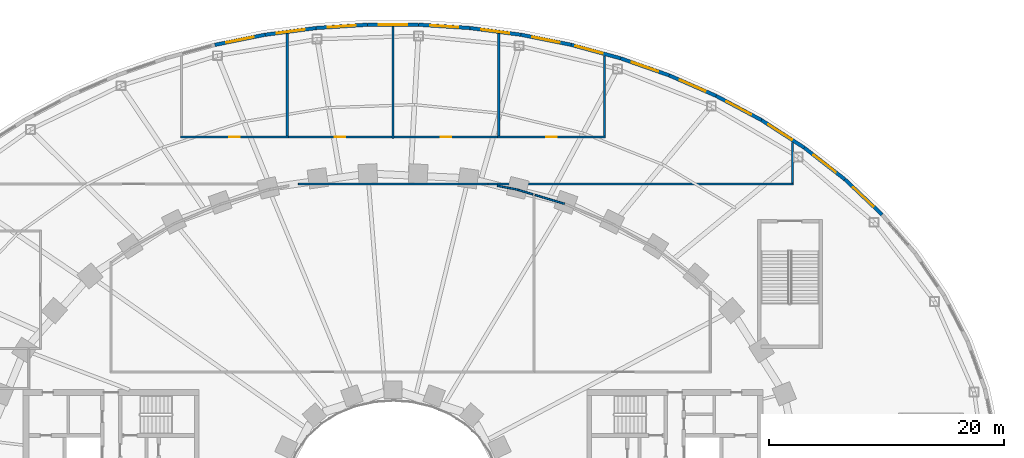
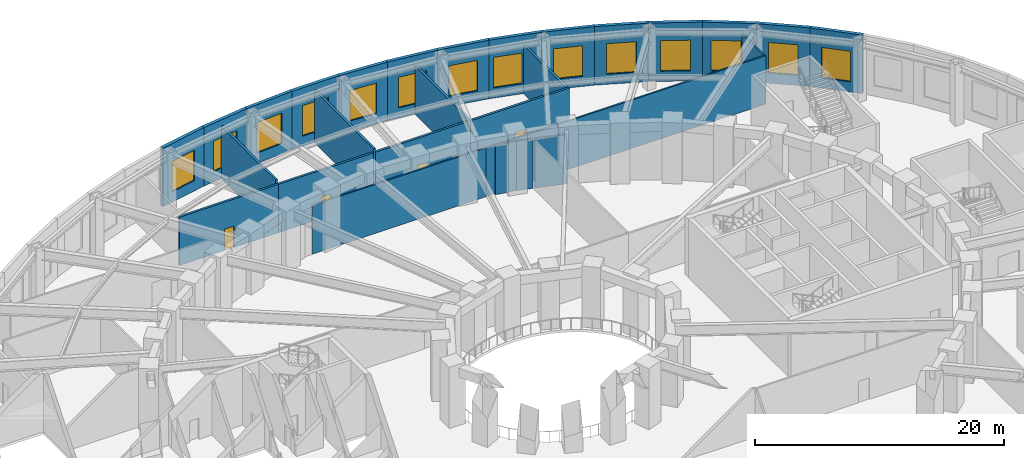
# One storey, part 26 of 74: 28 walls, 14 windows, 4 doors, 18 openings.
"""IFC4 building model written with IfcOpenShell, lengths in metres."""

from ifc_helpers import new_model, si_unit, direction, frame, frame_2d, origin, place, context, subcontext, project, spatial, rectangle, extrude, material, layer, layer_set, type_object, element, fill, save


model = new_model("IFC4")

# Units and contexts
model_context = context("Model", 3, precision=1e-05, world=origin(), true_north=direction((0.0, 1.0)))
body_context = subcontext(model_context, "Body", "Model", "MODEL_VIEW")
ifc_project = project(units=[si_unit("LENGTHUNIT", "METRE"), si_unit("AREAUNIT", "SQUARE_METRE"), si_unit("VOLUMEUNIT", "CUBIC_METRE"), si_unit("PLANEANGLEUNIT", "RADIAN"), si_unit("MASSUNIT", "GRAM", prefix="KILO")], contexts=[model_context])

# Site, building, storey
site_placement = place(None, origin())
site = spatial("IfcSite", under=ifc_project, at=site_placement, CompositionType="ELEMENT")
building_placement = place(site_placement, origin())
building = spatial("IfcBuilding", under=site, at=building_placement, Name="Noorbagh Ring Tower", CompositionType="ELEMENT")
storey_placement = place(building_placement, frame((0.0, 0.0, 13.5)))
storey = spatial("IfcBuildingStorey", under=building, at=storey_placement, Name="L02", CompositionType="ELEMENT", Elevation=13.5)

# Wall, opening, window
ifc_material_1 = material(Name="Blockwork faced with red sandstone", Category="masonry")
ifc_layer_1 = layer(ifc_material_1, 0.300048828125)
ifc_layer_set_1 = layer_set([ifc_layer_1], Name="Blockwork faced with red sandstone")
wall_type_1 = type_object("IfcWallType", Name="GND-ENV-WALL", PredefinedType="SOLIDWALL", material=ifc_layer_set_1)
wall_1_placement = place(storey_placement, frame((41.61669921875, 23.406005859375, 0.0), z_axis=(0.0, 0.0, 1.0), x_axis=(-0.72620446032, 0.687478786444, 0.0)))
wall_1 = element("IfcWall", 1, at=wall_1_placement, inside=storey, type_object=wall_type_1, Name="Podium wall", PredefinedType="SOLIDWALL", context=body_context, shape_type="SweptSolid", body=[
    extrude(rectangle(XDim=4.356201171875, YDim=0.300048828125, at=frame_2d((2.17822265625, 0.0))), origin(), (0.0, 0.0, 1.0), 5.75),
])
opening_1_placement = place(wall_1_placement, frame((0.97802734375, 0.0, 1.0)))
opening_1 = element("IfcOpeningElement", 2, at=opening_1_placement, cuts=wall_1, Name="Opening GWN1", PredefinedType="OPENING", context=body_context, shape_type="SweptSolid", body=[
    extrude(rectangle(XDim=2.39990234375, YDim=3.0, at=frame_2d((1.199951171875, 1.5))), frame((0.0, 0.16015625, 0.0), z_axis=(0.0, -1.0, 0.0), x_axis=(1.0, 0.0, 0.0)), (0.0, 0.0, 1.0), 0.320068359375),
])
ifc_material_2 = material(Name="Aluminium and glass", Category="aluminium")
window_type = type_object("IfcWindowType", Name="GND-ENV-WINDOW", PartitioningType="SINGLE_PANEL", PredefinedType="WINDOW", material=ifc_material_2)
window_1_placement = place(opening_1_placement, origin())
window_1 = element("IfcWindow", 3, at=window_1_placement, inside=storey, type_object=window_type, Name="L02 podium window", OverallHeight=3.0, OverallWidth=2.39990234375, PartitioningType="SINGLE_PANEL", PredefinedType="WINDOW", context=body_context, shape_type="SweptSolid", body=[
    extrude(rectangle(XDim=2.39990234375, YDim=3.0, at=frame_2d((1.199951171875, 1.5))), frame((0.0, 0.030029296875, 0.0), z_axis=(0.0, -1.0, 0.0), x_axis=(1.0, 0.0, 0.0)), (0.0, 0.0, 1.0), 0.06005859375),
])
fill(opening_1, window_1)

wall_2_placement = place(storey_placement, frame((38.453125, 26.40087890625, 0.0), z_axis=(0.0, 0.0, 1.0), x_axis=(-0.788491985196, 0.615045030288, 0.0)))
wall_2 = element("IfcWall", 4, at=wall_2_placement, inside=storey, type_object=wall_type_1, Name="Podium wall", PredefinedType="SOLIDWALL", context=body_context, shape_type="SweptSolid", body=[
    extrude(rectangle(XDim=4.359375, YDim=0.300048828125, at=frame_2d((2.1796875, 0.0))), origin(), (0.0, 0.0, 1.0), 5.75),
])
opening_2_placement = place(wall_2_placement, frame((0.979736328125, 0.0, 1.0)))
opening_2 = element("IfcOpeningElement", 5, at=opening_2_placement, cuts=wall_2, Name="Opening GWN1", PredefinedType="OPENING", context=body_context, shape_type="SweptSolid", body=[
    extrude(rectangle(XDim=2.39990234375, YDim=3.0, at=frame_2d((1.199951171875, 1.5))), frame((0.0, 0.16015625, 0.0), z_axis=(0.0, -1.0, 0.0), x_axis=(1.0, 0.0, 0.0)), (0.0, 0.0, 1.0), 0.320068359375),
])
window_2_placement = place(opening_2_placement, origin())
window_2 = element("IfcWindow", 6, at=window_2_placement, inside=storey, type_object=window_type, Name="L02 podium window", OverallHeight=3.0, OverallWidth=2.39990234375, PartitioningType="SINGLE_PANEL", PredefinedType="WINDOW", context=body_context, shape_type="SweptSolid", body=[
    extrude(rectangle(XDim=2.39990234375, YDim=3.0, at=frame_2d((1.199951171875, 1.5))), frame((0.0, 0.030029296875, 0.0), z_axis=(0.0, -1.0, 0.0), x_axis=(1.0, 0.0, 0.0)), (0.0, 0.0, 1.0), 0.06005859375),
])
fill(opening_2, window_2)

wall_3_placement = place(storey_placement, frame((35.015869140625, 29.08203125, 0.0), z_axis=(0.0, 0.0, 1.0), x_axis=(-0.840047348843, 0.542513088969, 0.0)))
wall_3 = element("IfcWall", 7, at=wall_3_placement, inside=storey, type_object=wall_type_1, Name="Podium wall", PredefinedType="SOLIDWALL", context=body_context, shape_type="SweptSolid", body=[
    extrude(rectangle(XDim=4.362060546875, YDim=0.300048828125, at=frame_2d((2.18115234375, 0.0))), origin(), (0.0, 0.0, 1.0), 5.75),
])
opening_3_placement = place(wall_3_placement, frame((1.27099609375, 0.0, 1.0)))
opening_3 = element("IfcOpeningElement", 8, at=opening_3_placement, cuts=wall_3, Name="Opening GWN1", PredefinedType="OPENING", context=body_context, shape_type="SweptSolid", body=[
    extrude(rectangle(XDim=2.39990234375, YDim=3.0, at=frame_2d((1.199951171875, 1.5))), frame((0.0, 0.16015625, 0.0), z_axis=(0.0, -1.0, 0.0), x_axis=(1.0, 0.0, 0.0)), (0.0, 0.0, 1.0), 0.320068359375),
])
window_3_placement = place(opening_3_placement, origin())
window_3 = element("IfcWindow", 9, at=window_3_placement, inside=storey, type_object=window_type, Name="L02 podium window", OverallHeight=3.0, OverallWidth=2.39990234375, PartitioningType="SINGLE_PANEL", PredefinedType="WINDOW", context=body_context, shape_type="SweptSolid", body=[
    extrude(rectangle(XDim=2.39990234375, YDim=3.0, at=frame_2d((1.199951171875, 1.5))), frame((0.0, 0.030029296875, 0.0), z_axis=(0.0, -1.0, 0.0), x_axis=(1.0, 0.0, 0.0)), (0.0, 0.0, 1.0), 0.06005859375),
])
fill(opening_3, window_3)

wall_4_placement = place(storey_placement, frame((31.3515625, 31.448486328125, 0.0), z_axis=(0.0, 0.0, 1.0), x_axis=(-0.882159305704, 0.47095112205, 0.0)))
wall_4 = element("IfcWall", 10, at=wall_4_placement, inside=storey, type_object=wall_type_1, Name="Podium wall", PredefinedType="SOLIDWALL", context=body_context, shape_type="SweptSolid", body=[
    extrude(rectangle(XDim=4.364501953125, YDim=0.300048828125, at=frame_2d((2.18212890625, 0.0))), origin(), (0.0, 0.0, 1.0), 5.75),
])
opening_4_placement = place(wall_4_placement, frame((0.982177734375, 0.0, 1.0)))
opening_4 = element("IfcOpeningElement", 11, at=opening_4_placement, cuts=wall_4, Name="Opening GWN1", PredefinedType="OPENING", context=body_context, shape_type="SweptSolid", body=[
    extrude(rectangle(XDim=2.39990234375, YDim=3.0, at=frame_2d((1.199951171875, 1.5))), frame((0.0, 0.16015625, 0.0), z_axis=(0.0, -1.0, 0.0), x_axis=(1.0, 0.0, 0.0)), (0.0, 0.0, 1.0), 0.320068359375),
])
window_4_placement = place(opening_4_placement, origin())
window_4 = element("IfcWindow", 12, at=window_4_placement, inside=storey, type_object=window_type, Name="L02 podium window", OverallHeight=3.0, OverallWidth=2.39990234375, PartitioningType="SINGLE_PANEL", PredefinedType="WINDOW", context=body_context, shape_type="SweptSolid", body=[
    extrude(rectangle(XDim=2.39990234375, YDim=3.0, at=frame_2d((1.199951171875, 1.5))), frame((0.0, 0.030029296875, 0.0), z_axis=(0.0, -1.0, 0.0), x_axis=(1.0, 0.0, 0.0)), (0.0, 0.0, 1.0), 0.06005859375),
])
fill(opening_4, window_4)

wall_5_placement = place(storey_placement, frame((27.50146484375, 33.50390625, 0.0), z_axis=(0.0, 0.0, 1.0), x_axis=(-0.916336904548, 0.400408138483, 0.0)))
wall_5 = element("IfcWall", 13, at=wall_5_placement, inside=storey, type_object=wall_type_1, Name="Podium wall", PredefinedType="SOLIDWALL", context=body_context, shape_type="SweptSolid", body=[
    extrude(rectangle(XDim=4.3662109375, YDim=0.300048828125, at=frame_2d((2.18310546875, 0.0))), origin(), (0.0, 0.0, 1.0), 5.75),
])
opening_5_placement = place(wall_5_placement, frame((0.983154296875, 0.0, 1.0)))
opening_5 = element("IfcOpeningElement", 14, at=opening_5_placement, cuts=wall_5, Name="Opening GWN1", PredefinedType="OPENING", context=body_context, shape_type="SweptSolid", body=[
    extrude(rectangle(XDim=2.39990234375, YDim=3.0, at=frame_2d((1.199951171875, 1.5))), frame((0.0, 0.16015625, 0.0), z_axis=(0.0, -1.0, 0.0), x_axis=(1.0, 0.0, 0.0)), (0.0, 0.0, 1.0), 0.320068359375),
])
window_5_placement = place(opening_5_placement, origin())
window_5 = element("IfcWindow", 15, at=window_5_placement, inside=storey, type_object=window_type, Name="L02 podium window", OverallHeight=3.0, OverallWidth=2.39990234375, PartitioningType="SINGLE_PANEL", PredefinedType="WINDOW", context=body_context, shape_type="SweptSolid", body=[
    extrude(rectangle(XDim=2.39990234375, YDim=3.0, at=frame_2d((1.199951171875, 1.5))), frame((0.0, 0.030029296875, 0.0), z_axis=(0.0, -1.0, 0.0), x_axis=(1.0, 0.0, 0.0)), (0.0, 0.0, 1.0), 0.06005859375),
])
fill(opening_5, window_5)

wall_6_placement = place(storey_placement, frame((23.50048828125, 35.252197265625, 0.0), z_axis=(0.0, 0.0, 1.0), x_axis=(-0.943526738033, 0.331296384853, 0.0)))
wall_6 = element("IfcWall", 16, at=wall_6_placement, inside=storey, type_object=wall_type_1, Name="Podium wall", PredefinedType="SOLIDWALL", context=body_context, shape_type="SweptSolid", body=[
    extrude(rectangle(XDim=4.36767578125, YDim=0.300048828125, at=frame_2d((2.183837890625, 0.0))), origin(), (0.0, 0.0, 1.0), 5.75),
])
opening_6_placement = place(wall_6_placement, frame((0.98388671875, 0.0, 1.0)))
opening_6 = element("IfcOpeningElement", 17, at=opening_6_placement, cuts=wall_6, Name="Opening GWN1", PredefinedType="OPENING", context=body_context, shape_type="SweptSolid", body=[
    extrude(rectangle(XDim=2.39990234375, YDim=3.0, at=frame_2d((1.199951171875, 1.5))), frame((0.0, 0.16015625, 0.0), z_axis=(0.0, -1.0, 0.0), x_axis=(1.0, 0.0, 0.0)), (0.0, 0.0, 1.0), 0.320068359375),
])
window_6_placement = place(opening_6_placement, origin())
window_6 = element("IfcWindow", 18, at=window_6_placement, inside=storey, type_object=window_type, Name="L02 podium window", OverallHeight=3.0, OverallWidth=2.39990234375, PartitioningType="SINGLE_PANEL", PredefinedType="WINDOW", context=body_context, shape_type="SweptSolid", body=[
    extrude(rectangle(XDim=2.39990234375, YDim=3.0, at=frame_2d((1.199951171875, 1.5))), frame((0.0, 0.030029296875, 0.0), z_axis=(0.0, -1.0, 0.0), x_axis=(1.0, 0.0, 0.0)), (0.0, 0.0, 1.0), 0.06005859375),
])
fill(opening_6, window_6)

wall_7_placement = place(storey_placement, frame((19.37939453125, 36.69921875, 0.0), z_axis=(0.0, 0.0, 1.0), x_axis=(-0.964679950239, 0.263424739931, 0.0)))
wall_7 = element("IfcWall", 19, at=wall_7_placement, inside=storey, type_object=wall_type_1, Name="Podium wall", PredefinedType="SOLIDWALL", context=body_context, shape_type="SweptSolid", body=[
    extrude(rectangle(XDim=4.368896484375, YDim=0.300048828125, at=frame_2d((2.1845703125, 0.0))), origin(), (0.0, 0.0, 1.0), 5.75),
])
opening_7_placement = place(wall_7_placement, frame((1.594482421875, 0.0, 1.0)))
opening_7 = element("IfcOpeningElement", 20, at=opening_7_placement, cuts=wall_7, Name="Opening GWN1", PredefinedType="OPENING", context=body_context, shape_type="SweptSolid", body=[
    extrude(rectangle(XDim=2.39990234375, YDim=3.0, at=frame_2d((1.199951171875, 1.5))), frame((0.0, 0.16015625, 0.0), z_axis=(0.0, -1.0, 0.0), x_axis=(1.0, 0.0, 0.0)), (0.0, 0.0, 1.0), 0.320068359375),
])
window_7_placement = place(opening_7_placement, origin())
window_7 = element("IfcWindow", 21, at=window_7_placement, inside=storey, type_object=window_type, Name="L02 podium window", OverallHeight=3.0, OverallWidth=2.39990234375, PartitioningType="SINGLE_PANEL", PredefinedType="WINDOW", context=body_context, shape_type="SweptSolid", body=[
    extrude(rectangle(XDim=2.39990234375, YDim=3.0, at=frame_2d((1.199951171875, 1.5))), frame((0.0, 0.030029296875, 0.0), z_axis=(0.0, -1.0, 0.0), x_axis=(1.0, 0.0, 0.0)), (0.0, 0.0, 1.0), 0.06005859375),
])
fill(opening_7, window_7)

wall_8_placement = place(storey_placement, frame((15.164794921875, 37.85009765625, 0.0), z_axis=(0.0, 0.0, 1.0), x_axis=(-0.980494629762, 0.196545875071, 0.0)))
wall_8 = element("IfcWall", 22, at=wall_8_placement, inside=storey, type_object=wall_type_1, Name="Podium wall", PredefinedType="SOLIDWALL", context=body_context, shape_type="SweptSolid", body=[
    extrude(rectangle(XDim=4.369873046875, YDim=0.300048828125, at=frame_2d((2.18505859375, 0.0))), origin(), (0.0, 0.0, 1.0), 5.75),
])
opening_8_placement = place(wall_8_placement, frame((0.98486328125, 0.0, 1.0)))
opening_8 = element("IfcOpeningElement", 23, at=opening_8_placement, cuts=wall_8, Name="Opening GWN1", PredefinedType="OPENING", context=body_context, shape_type="SweptSolid", body=[
    extrude(rectangle(XDim=2.39990234375, YDim=3.0, at=frame_2d((1.199951171875, 1.5))), frame((0.0, 0.16015625, 0.0), z_axis=(0.0, -1.0, 0.0), x_axis=(1.0, 0.0, 0.0)), (0.0, 0.0, 1.0), 0.320068359375),
])
window_8_placement = place(opening_8_placement, origin())
window_8 = element("IfcWindow", 24, at=window_8_placement, inside=storey, type_object=window_type, Name="L02 podium window", OverallHeight=3.0, OverallWidth=2.39990234375, PartitioningType="SINGLE_PANEL", PredefinedType="WINDOW", context=body_context, shape_type="SweptSolid", body=[
    extrude(rectangle(XDim=2.39990234375, YDim=3.0, at=frame_2d((1.199951171875, 1.5))), frame((0.0, 0.030029296875, 0.0), z_axis=(0.0, -1.0, 0.0), x_axis=(1.0, 0.0, 0.0)), (0.0, 0.0, 1.0), 0.06005859375),
])
fill(opening_8, window_8)

wall_9_placement = place(storey_placement, frame((10.880126953125, 38.708984375, 0.0), z_axis=(0.0, 0.0, 1.0), x_axis=(-0.991441741932, 0.130549884544, 0.0)))
wall_9 = element("IfcWall", 25, at=wall_9_placement, inside=storey, type_object=wall_type_1, Name="Podium wall", PredefinedType="SOLIDWALL", context=body_context, shape_type="SweptSolid", body=[
    extrude(rectangle(XDim=4.370361328125, YDim=0.300048828125, at=frame_2d((2.18505859375, 0.0))), origin(), (0.0, 0.0, 1.0), 5.75),
])
opening_9_placement = place(wall_9_placement, frame((0.985107421875, 0.0, 1.0)))
opening_9 = element("IfcOpeningElement", 26, at=opening_9_placement, cuts=wall_9, Name="Opening GWN1", PredefinedType="OPENING", context=body_context, shape_type="SweptSolid", body=[
    extrude(rectangle(XDim=2.39990234375, YDim=3.0, at=frame_2d((1.199951171875, 1.5))), frame((0.0, 0.16015625, 0.0), z_axis=(0.0, -1.0, 0.0), x_axis=(1.0, 0.0, 0.0)), (0.0, 0.0, 1.0), 0.320068359375),
])
window_9_placement = place(opening_9_placement, origin())
window_9 = element("IfcWindow", 27, at=window_9_placement, inside=storey, type_object=window_type, Name="L02 podium window", OverallHeight=3.0, OverallWidth=2.39990234375, PartitioningType="SINGLE_PANEL", PredefinedType="WINDOW", context=body_context, shape_type="SweptSolid", body=[
    extrude(rectangle(XDim=2.39990234375, YDim=3.0, at=frame_2d((1.199951171875, 1.5))), frame((0.0, 0.030029296875, 0.0), z_axis=(0.0, -1.0, 0.0), x_axis=(1.0, 0.0, 0.0)), (0.0, 0.0, 1.0), 0.06005859375),
])
fill(opening_9, window_9)

wall_10_placement = place(storey_placement, frame((6.547119140625, 39.279541015625, 0.0), z_axis=(0.0, 0.0, 1.0), x_axis=(-0.997876871627, 0.065128711577, 0.0)))
wall_10 = element("IfcWall", 28, at=wall_10_placement, inside=storey, type_object=wall_type_1, Name="Podium wall", PredefinedType="SOLIDWALL", context=body_context, shape_type="SweptSolid", body=[
    extrude(rectangle(XDim=4.370849609375, YDim=0.300048828125, at=frame_2d((2.185546875, 0.0))), origin(), (0.0, 0.0, 1.0), 5.75),
])
opening_10_placement = place(wall_10_placement, frame((0.9853515625, 0.0, 1.0)))
opening_10 = element("IfcOpeningElement", 29, at=opening_10_placement, cuts=wall_10, Name="Opening GWN1", PredefinedType="OPENING", context=body_context, shape_type="SweptSolid", body=[
    extrude(rectangle(XDim=2.39990234375, YDim=3.0, at=frame_2d((1.199951171875, 1.5))), frame((0.0, 0.16015625, 0.0), z_axis=(0.0, -1.0, 0.0), x_axis=(1.0, 0.0, 0.0)), (0.0, 0.0, 1.0), 0.320068359375),
])
window_10_placement = place(opening_10_placement, origin())
window_10 = element("IfcWindow", 30, at=window_10_placement, inside=storey, type_object=window_type, Name="L02 podium window", OverallHeight=3.0, OverallWidth=2.39990234375, PartitioningType="SINGLE_PANEL", PredefinedType="WINDOW", context=body_context, shape_type="SweptSolid", body=[
    extrude(rectangle(XDim=2.39990234375, YDim=3.0, at=frame_2d((1.199951171875, 1.5))), frame((0.0, 0.030029296875, 0.0), z_axis=(0.0, -1.0, 0.0), x_axis=(1.0, 0.0, 0.0)), (0.0, 0.0, 1.0), 0.06005859375),
])
fill(opening_10, window_10)

wall_11_placement = place(storey_placement, frame((2.185546875, 39.564208984375, 0.0), z_axis=(0.0, 0.0, 1.0), x_axis=(-1.0, 0.0, 0.0)))
wall_11 = element("IfcWall", 31, at=wall_11_placement, inside=storey, type_object=wall_type_1, Name="Podium wall", PredefinedType="SOLIDWALL", context=body_context, shape_type="SweptSolid", body=[
    extrude(rectangle(XDim=4.37109375, YDim=0.300048828125, at=frame_2d((2.185546875, 0.0))), origin(), (0.0, 0.0, 1.0), 5.75),
])
opening_11_placement = place(wall_11_placement, frame((0.985595703125, 0.0, 1.0)))
opening_11 = element("IfcOpeningElement", 32, at=opening_11_placement, cuts=wall_11, Name="Opening GWN1", PredefinedType="OPENING", context=body_context, shape_type="SweptSolid", body=[
    extrude(rectangle(XDim=2.39990234375, YDim=3.0, at=frame_2d((1.199951171875, 1.5))), frame((0.0, 0.16015625, 0.0), z_axis=(0.0, -1.0, 0.0), x_axis=(1.0, 0.0, 0.0)), (0.0, 0.0, 1.0), 0.320068359375),
])
window_11_placement = place(opening_11_placement, origin())
window_11 = element("IfcWindow", 33, at=window_11_placement, inside=storey, type_object=window_type, Name="L02 podium window", OverallHeight=3.0, OverallWidth=2.39990234375, PartitioningType="SINGLE_PANEL", PredefinedType="WINDOW", context=body_context, shape_type="SweptSolid", body=[
    extrude(rectangle(XDim=2.39990234375, YDim=3.0, at=frame_2d((1.199951171875, 1.5))), frame((0.0, 0.030029296875, 0.0), z_axis=(0.0, -1.0, 0.0), x_axis=(1.0, 0.0, 0.0)), (0.0, 0.0, 1.0), 0.06005859375),
])
fill(opening_11, window_11)

wall_12_placement = place(storey_placement, frame((-2.185546875, 39.564208984375, 0.0), z_axis=(0.0, 0.0, 1.0), x_axis=(-0.997876871627, -0.065128711577, 0.0)))
wall_12 = element("IfcWall", 34, at=wall_12_placement, inside=storey, type_object=wall_type_1, Name="Podium wall", PredefinedType="SOLIDWALL", context=body_context, shape_type="SweptSolid", body=[
    extrude(rectangle(XDim=4.370849609375, YDim=0.300048828125, at=frame_2d((2.185546875, 0.0))), origin(), (0.0, 0.0, 1.0), 5.75),
])
opening_12_placement = place(wall_12_placement, frame((0.9853515625, 0.0, 1.0)))
opening_12 = element("IfcOpeningElement", 35, at=opening_12_placement, cuts=wall_12, Name="Opening GWN1", PredefinedType="OPENING", context=body_context, shape_type="SweptSolid", body=[
    extrude(rectangle(XDim=2.39990234375, YDim=3.0, at=frame_2d((1.199951171875, 1.5))), frame((0.0, 0.16015625, 0.0), z_axis=(0.0, -1.0, 0.0), x_axis=(1.0, 0.0, 0.0)), (0.0, 0.0, 1.0), 0.320068359375),
])
window_12_placement = place(opening_12_placement, origin())
window_12 = element("IfcWindow", 36, at=window_12_placement, inside=storey, type_object=window_type, Name="L02 podium window", OverallHeight=3.0, OverallWidth=2.39990234375, PartitioningType="SINGLE_PANEL", PredefinedType="WINDOW", context=body_context, shape_type="SweptSolid", body=[
    extrude(rectangle(XDim=2.39990234375, YDim=3.0, at=frame_2d((1.199951171875, 1.5))), frame((0.0, 0.030029296875, 0.0), z_axis=(0.0, -1.0, 0.0), x_axis=(1.0, 0.0, 0.0)), (0.0, 0.0, 1.0), 0.06005859375),
])
fill(opening_12, window_12)

wall_13_placement = place(storey_placement, frame((-6.547119140625, 39.279541015625, 0.0), z_axis=(0.0, 0.0, 1.0), x_axis=(-0.991441741932, -0.130549884544, 0.0)))
wall_13 = element("IfcWall", 37, at=wall_13_placement, inside=storey, type_object=wall_type_1, Name="Podium wall", PredefinedType="SOLIDWALL", context=body_context, shape_type="SweptSolid", body=[
    extrude(rectangle(XDim=4.370361328125, YDim=0.300048828125, at=frame_2d((2.18505859375, 0.0))), origin(), (0.0, 0.0, 1.0), 5.75),
])
opening_13_placement = place(wall_13_placement, frame((0.985107421875, 0.0, 1.0)))
opening_13 = element("IfcOpeningElement", 38, at=opening_13_placement, cuts=wall_13, Name="Opening GWN1", PredefinedType="OPENING", context=body_context, shape_type="SweptSolid", body=[
    extrude(rectangle(XDim=2.39990234375, YDim=3.0, at=frame_2d((1.199951171875, 1.5))), frame((0.0, 0.16015625, 0.0), z_axis=(0.0, -1.0, 0.0), x_axis=(1.0, 0.0, 0.0)), (0.0, 0.0, 1.0), 0.320068359375),
])
window_13_placement = place(opening_13_placement, origin())
window_13 = element("IfcWindow", 39, at=window_13_placement, inside=storey, type_object=window_type, Name="L02 podium window", OverallHeight=3.0, OverallWidth=2.39990234375, PartitioningType="SINGLE_PANEL", PredefinedType="WINDOW", context=body_context, shape_type="SweptSolid", body=[
    extrude(rectangle(XDim=2.39990234375, YDim=3.0, at=frame_2d((1.199951171875, 1.5))), frame((0.0, 0.030029296875, 0.0), z_axis=(0.0, -1.0, 0.0), x_axis=(1.0, 0.0, 0.0)), (0.0, 0.0, 1.0), 0.06005859375),
])
fill(opening_13, window_13)

wall_14_placement = place(storey_placement, frame((-10.880126953125, 38.708984375, 0.0), z_axis=(0.0, 0.0, 1.0), x_axis=(-0.980494629762, -0.196545875071, 0.0)))
wall_14 = element("IfcWall", 40, at=wall_14_placement, inside=storey, type_object=wall_type_1, Name="Podium wall", PredefinedType="SOLIDWALL", context=body_context, shape_type="SweptSolid", body=[
    extrude(rectangle(XDim=4.369873046875, YDim=0.300048828125, at=frame_2d((2.18505859375, 0.0))), origin(), (0.0, 0.0, 1.0), 5.75),
])
opening_14_placement = place(wall_14_placement, frame((0.98486328125, 0.0, 1.0)))
opening_14 = element("IfcOpeningElement", 41, at=opening_14_placement, cuts=wall_14, Name="Opening GWN1", PredefinedType="OPENING", context=body_context, shape_type="SweptSolid", body=[
    extrude(rectangle(XDim=2.39990234375, YDim=3.0, at=frame_2d((1.199951171875, 1.5))), frame((0.0, 0.16015625, 0.0), z_axis=(0.0, -1.0, 0.0), x_axis=(1.0, 0.0, 0.0)), (0.0, 0.0, 1.0), 0.320068359375),
])
window_14_placement = place(opening_14_placement, origin())
window_14 = element("IfcWindow", 42, at=window_14_placement, inside=storey, type_object=window_type, Name="L02 podium window", OverallHeight=3.0, OverallWidth=2.39990234375, PartitioningType="SINGLE_PANEL", PredefinedType="WINDOW", context=body_context, shape_type="SweptSolid", body=[
    extrude(rectangle(XDim=2.39990234375, YDim=3.0, at=frame_2d((1.199951171875, 1.5))), frame((0.0, 0.030029296875, 0.0), z_axis=(0.0, -1.0, 0.0), x_axis=(1.0, 0.0, 0.0)), (0.0, 0.0, 1.0), 0.06005859375),
])
fill(opening_14, window_14)

# Walls
ifc_material_3 = material(Name="Gypsum board on steel studs", Category="steel")
ifc_layer_2 = layer(ifc_material_3, 0.14990234375)
ifc_layer_set_2 = layer_set([ifc_layer_2], Name="Gypsum board on steel studs")
wall_type_2 = type_object("IfcWallType", Name="GND-PART-150", PredefinedType="PARTITIONING", material=ifc_layer_set_2)
wall_15_placement = place(storey_placement, frame((-8.064453125, 26.0, 0.0), z_axis=(0.0, 0.0, 1.0), x_axis=(1.0, 0.0, 0.0)))
element("IfcWall", 43, at=wall_15_placement, inside=storey, type_object=wall_type_2, Name="L02/wall/P002", PredefinedType="PARTITIONING", context=body_context, shape_type="SweptSolid", body=[
    extrude(rectangle(XDim=16.12890625, YDim=0.14990234375, at=frame_2d((8.064453125, 0.0))), origin(), (0.0, 0.0, 1.0), 4.800048828125),
])
wall_16_placement = place(storey_placement, frame((8.868408203125, 25.860107421875, 0.0), z_axis=(0.0, 0.0, 1.0), x_axis=(0.981606292059, -0.190916440861, 0.0)))
element("IfcWall", 44, at=wall_16_placement, inside=storey, type_object=wall_type_2, Name="L02/wall/P008", PredefinedType="PARTITIONING", context=body_context, shape_type="SweptSolid", body=[
    extrude(rectangle(XDim=1.81591796875, YDim=0.14990234375, at=frame_2d((0.907958984375, 0.0))), origin(), (0.0, 0.0, 1.0), 4.85009765625),
])
wall_17_placement = place(storey_placement, frame((10.64990234375, 25.506103515625, 0.0), z_axis=(0.0, 0.0, 1.0), x_axis=(0.957547353506, -0.28827602362, 0.0)))
element("IfcWall", 45, at=wall_17_placement, inside=storey, type_object=wall_type_2, Name="L02/wall/P009", PredefinedType="PARTITIONING", context=body_context, shape_type="SweptSolid", body=[
    extrude(rectangle(XDim=1.3271484375, YDim=0.14990234375, at=frame_2d((0.66357421875, 0.0))), origin(), (0.0, 0.0, 1.0), 4.85009765625),
])
wall_18_placement = place(storey_placement, frame((12.086181640625, 25.07373046875, 0.0), z_axis=(0.0, 0.0, 1.0), x_axis=(0.957560758584, -0.28823149311, 0.0)))
element("IfcWall", 46, at=wall_18_placement, inside=storey, type_object=wall_type_2, Name="L02/wall/P012", PredefinedType="PARTITIONING", context=body_context, shape_type="SweptSolid", body=[
    extrude(rectangle(XDim=2.610595703125, YDim=0.14990234375, at=frame_2d((1.30517578125, 0.0))), origin(), (0.0, 0.0, 1.0), 4.85009765625),
])
wall_19_placement = place(storey_placement, frame((34.074951171875, 26.0, 0.0), z_axis=(0.0, 0.0, 1.0), x_axis=(-1.0, 0.0, 0.0)))
element("IfcWall", 47, at=wall_19_placement, inside=storey, type_object=wall_type_2, Name="L02/wall/P028", PredefinedType="PARTITIONING", context=body_context, shape_type="SweptSolid", body=[
    extrude(rectangle(XDim=26.01171875, YDim=0.14990234375, at=frame_2d((13.005859375, 0.0))), origin(), (0.0, 0.0, 1.0), 4.75),
])
wall_20_placement = place(storey_placement, frame((34.0, 29.51953125, 0.0), z_axis=(0.0, 0.0, 1.0), x_axis=(0.0, -1.0, 0.0)))
element("IfcWall", 48, at=wall_20_placement, inside=storey, type_object=wall_type_2, Name="L02/wall/P031", PredefinedType="PARTITIONING", context=body_context, shape_type="SweptSolid", body=[
    extrude(rectangle(XDim=3.444580078125, YDim=0.14990234375, at=frame_2d((1.72216796875, 0.0))), origin(), (0.0, 0.0, 1.0), 4.75),
])
ifc_material_4 = material(Name="Reinforced blockwork", Category="masonry")
ifc_layer_3 = layer(ifc_material_4, 0.199951171875)
ifc_layer_set_3 = layer_set([ifc_layer_3], Name="Reinforced blockwork")
wall_type_3 = type_object("IfcWallType", Name="GND-PART-200", PredefinedType="PARTITIONING", material=ifc_layer_set_3)
wall_21_placement = place(storey_placement, frame((-9.0, 38.79931640625, 0.0), z_axis=(0.0, 0.0, 1.0), x_axis=(0.0, -1.0, 0.0)))
element("IfcWall", 49, at=wall_21_placement, inside=storey, type_object=wall_type_3, Name="L02/wall/P019", PredefinedType="PARTITIONING", context=body_context, shape_type="SweptSolid", body=[
    extrude(rectangle(XDim=8.69921875, YDim=0.199951171875, at=frame_2d((4.349609375, 0.0))), origin(), (0.0, 0.0, 1.0), 5.14990234375),
])

# Wall, opening, door
wall_22_placement = place(storey_placement, frame((-8.89990234375, 30.0, 0.0), z_axis=(0.0, 0.0, 1.0), x_axis=(-1.0, 0.0, 0.0)))
wall_22 = element("IfcWall", 50, at=wall_22_placement, inside=storey, type_object=wall_type_3, Name="L02/wall/P021", PredefinedType="PARTITIONING", context=body_context, shape_type="SweptSolid", body=[
    extrude(rectangle(XDim=9.2001953125, YDim=0.199951171875, at=frame_2d((4.60009765625, 0.0))), origin(), (0.0, 0.0, 1.0), 4.75),
])
opening_15_placement = place(wall_22_placement, frame((4.14990234375, 0.0, 0.0)))
opening_15 = element("IfcOpeningElement", 51, at=opening_15_placement, cuts=wall_22, Name="Opening GD10", PredefinedType="OPENING", context=body_context, shape_type="SweptSolid", body=[
    extrude(rectangle(XDim=0.89990234375, YDim=2.10009765625, at=frame_2d((0.449951171875, 1.050048828125))), frame((0.0, 0.10986328125, 0.0), z_axis=(0.0, -1.0, 0.0), x_axis=(1.0, 0.0, 0.0)), (0.0, 0.0, 1.0), 0.219970703125),
])
ifc_material_5 = material(Name="Steel", Category="steel")
door_type = type_object("IfcDoorType", Name="GND-DOOR-HALL-FD60", OperationType="SINGLE_SWING_LEFT", PredefinedType="DOOR", material=ifc_material_5)
door_1_placement = place(opening_15_placement, origin())
door_1 = element("IfcDoor", 52, at=door_1_placement, inside=storey, type_object=door_type, Name="Cloakroom store door", OperationType="SINGLE_SWING_RIGHT", OverallHeight=2.10009765625, OverallWidth=0.89990234375, PredefinedType="DOOR", context=body_context, shape_type="SweptSolid", body=[
    extrude(rectangle(XDim=0.89990234375, YDim=2.10009765625, at=frame_2d((0.449951171875, 1.050048828125))), frame((0.0, 0.02490234375, 0.0), z_axis=(0.0, -1.0, 0.0), x_axis=(1.0, 0.0, 0.0)), (0.0, 0.0, 1.0), 0.050048828125),
])
fill(opening_15, door_1)

# Wall
wall_23_placement = place(storey_placement, frame((0.0, 39.414306640625, 0.0), z_axis=(0.0, 0.0, 1.0), x_axis=(0.0, -1.0, 0.0)))
element("IfcWall", 53, at=wall_23_placement, inside=storey, type_object=wall_type_3, Name="L02/wall/P022", PredefinedType="PARTITIONING", context=body_context, shape_type="SweptSolid", body=[
    extrude(rectangle(XDim=9.514404296875, YDim=0.199951171875, at=frame_2d((4.75732421875, 0.0))), origin(), (0.0, 0.0, 1.0), 5.14990234375),
])

# Wall, opening, door
wall_24_placement = place(storey_placement, frame((-0.10009765625, 30.0, 0.0), z_axis=(0.0, 0.0, 1.0), x_axis=(-1.0, 0.0, 0.0)))
wall_24 = element("IfcWall", 54, at=wall_24_placement, inside=storey, type_object=wall_type_3, Name="L02/wall/P023", PredefinedType="PARTITIONING", context=body_context, shape_type="SweptSolid", body=[
    extrude(rectangle(XDim=8.80078125, YDim=0.199951171875, at=frame_2d((4.400390625, 0.0))), origin(), (0.0, 0.0, 1.0), 4.75),
])
opening_16_placement = place(wall_24_placement, frame((3.950439453125, 0.0, 0.0)))
opening_16 = element("IfcOpeningElement", 55, at=opening_16_placement, cuts=wall_24, Name="Opening GD10", PredefinedType="OPENING", context=body_context, shape_type="SweptSolid", body=[
    extrude(rectangle(XDim=0.89990234375, YDim=2.10009765625, at=frame_2d((0.449951171875, 1.050048828125))), frame((0.0, 0.10986328125, 0.0), z_axis=(0.0, -1.0, 0.0), x_axis=(1.0, 0.0, 0.0)), (0.0, 0.0, 1.0), 0.219970703125),
])
door_2_placement = place(opening_16_placement, origin())
door_2 = element("IfcDoor", 56, at=door_2_placement, inside=storey, type_object=door_type, Name="Bar service store door", OperationType="SINGLE_SWING_RIGHT", OverallHeight=2.10009765625, OverallWidth=0.89990234375, PredefinedType="DOOR", context=body_context, shape_type="SweptSolid", body=[
    extrude(rectangle(XDim=0.89990234375, YDim=2.10009765625, at=frame_2d((0.449951171875, 1.050048828125))), frame((0.0, 0.02490234375, 0.0), z_axis=(0.0, -1.0, 0.0), x_axis=(1.0, 0.0, 0.0)), (0.0, 0.0, 1.0), 0.050048828125),
])
fill(opening_16, door_2)

# Wall
wall_25_placement = place(storey_placement, frame((9.0, 38.79931640625, 0.0), z_axis=(0.0, 0.0, 1.0), x_axis=(0.0, -1.0, 0.0)))
element("IfcWall", 57, at=wall_25_placement, inside=storey, type_object=wall_type_3, Name="L02/wall/P024", PredefinedType="PARTITIONING", context=body_context, shape_type="SweptSolid", body=[
    extrude(rectangle(XDim=8.69921875, YDim=0.199951171875, at=frame_2d((4.349609375, 0.0))), origin(), (0.0, 0.0, 1.0), 4.75),
])

# Wall, opening, door
wall_26_placement = place(storey_placement, frame((8.90087890625, 30.0, 0.0), z_axis=(0.0, 0.0, 1.0), x_axis=(-1.0, 0.0, 0.0)))
wall_26 = element("IfcWall", 58, at=wall_26_placement, inside=storey, type_object=wall_type_3, Name="L02/wall/P025", PredefinedType="PARTITIONING", context=body_context, shape_type="SweptSolid", body=[
    extrude(rectangle(XDim=8.80078125, YDim=0.199951171875, at=frame_2d((4.400390625, 0.0))), origin(), (0.0, 0.0, 1.0), 4.75),
])
opening_17_placement = place(wall_26_placement, frame((3.950439453125, 0.0, 0.0)))
opening_17 = element("IfcOpeningElement", 59, at=opening_17_placement, cuts=wall_26, Name="Opening GD10", PredefinedType="OPENING", context=body_context, shape_type="SweptSolid", body=[
    extrude(rectangle(XDim=0.89990234375, YDim=2.10009765625, at=frame_2d((0.449951171875, 1.050048828125))), frame((0.0, 0.10986328125, 0.0), z_axis=(0.0, -1.0, 0.0), x_axis=(1.0, 0.0, 0.0)), (0.0, 0.0, 1.0), 0.219970703125),
])
door_3_placement = place(opening_17_placement, origin())
door_3 = element("IfcDoor", 60, at=door_3_placement, inside=storey, type_object=door_type, Name="Interval catering store door", OperationType="SINGLE_SWING_RIGHT", OverallHeight=2.10009765625, OverallWidth=0.89990234375, PredefinedType="DOOR", context=body_context, shape_type="SweptSolid", body=[
    extrude(rectangle(XDim=0.89990234375, YDim=2.10009765625, at=frame_2d((0.449951171875, 1.050048828125))), frame((0.0, 0.02490234375, 0.0), z_axis=(0.0, -1.0, 0.0), x_axis=(1.0, 0.0, 0.0)), (0.0, 0.0, 1.0), 0.050048828125),
])
fill(opening_17, door_3)

# Wall
wall_27_placement = place(storey_placement, frame((18.0, 36.903564453125, 0.0), z_axis=(0.0, 0.0, 1.0), x_axis=(0.0, -1.0, 0.0)))
element("IfcWall", 61, at=wall_27_placement, inside=storey, type_object=wall_type_3, Name="L02/wall/P026", PredefinedType="PARTITIONING", context=body_context, shape_type="SweptSolid", body=[
    extrude(rectangle(XDim=6.803466796875, YDim=0.199951171875, at=frame_2d((3.40185546875, 0.0))), origin(), (0.0, 0.0, 1.0), 4.75),
])

# Wall, opening, door
wall_28_placement = place(storey_placement, frame((18.10009765625, 30.0, 0.0), z_axis=(0.0, 0.0, 1.0), x_axis=(-1.0, 0.0, 0.0)))
wall_28 = element("IfcWall", 62, at=wall_28_placement, inside=storey, type_object=wall_type_3, Name="L02/wall/P027", PredefinedType="PARTITIONING", context=body_context, shape_type="SweptSolid", body=[
    extrude(rectangle(XDim=9.2001953125, YDim=0.199951171875, at=frame_2d((4.60009765625, 0.0))), origin(), (0.0, 0.0, 1.0), 4.75),
])
opening_18_placement = place(wall_28_placement, frame((4.14990234375, 0.0, 0.0)))
opening_18 = element("IfcOpeningElement", 63, at=opening_18_placement, cuts=wall_28, Name="Opening GD10", PredefinedType="OPENING", context=body_context, shape_type="SweptSolid", body=[
    extrude(rectangle(XDim=0.89990234375, YDim=2.10009765625, at=frame_2d((0.449951171875, 1.050048828125))), frame((0.0, 0.10986328125, 0.0), z_axis=(0.0, -1.0, 0.0), x_axis=(1.0, 0.0, 0.0)), (0.0, 0.0, 1.0), 0.219970703125),
])
door_4_placement = place(opening_18_placement, origin())
door_4 = element("IfcDoor", 64, at=door_4_placement, inside=storey, type_object=door_type, Name="Furniture store door", OperationType="SINGLE_SWING_RIGHT", OverallHeight=2.10009765625, OverallWidth=0.89990234375, PredefinedType="DOOR", context=body_context, shape_type="SweptSolid", body=[
    extrude(rectangle(XDim=0.89990234375, YDim=2.10009765625, at=frame_2d((0.449951171875, 1.050048828125))), frame((0.0, 0.02490234375, 0.0), z_axis=(0.0, -1.0, 0.0), x_axis=(1.0, 0.0, 0.0)), (0.0, 0.0, 1.0), 0.050048828125),
])
fill(opening_18, door_4)

save(model, "model.ifc")
